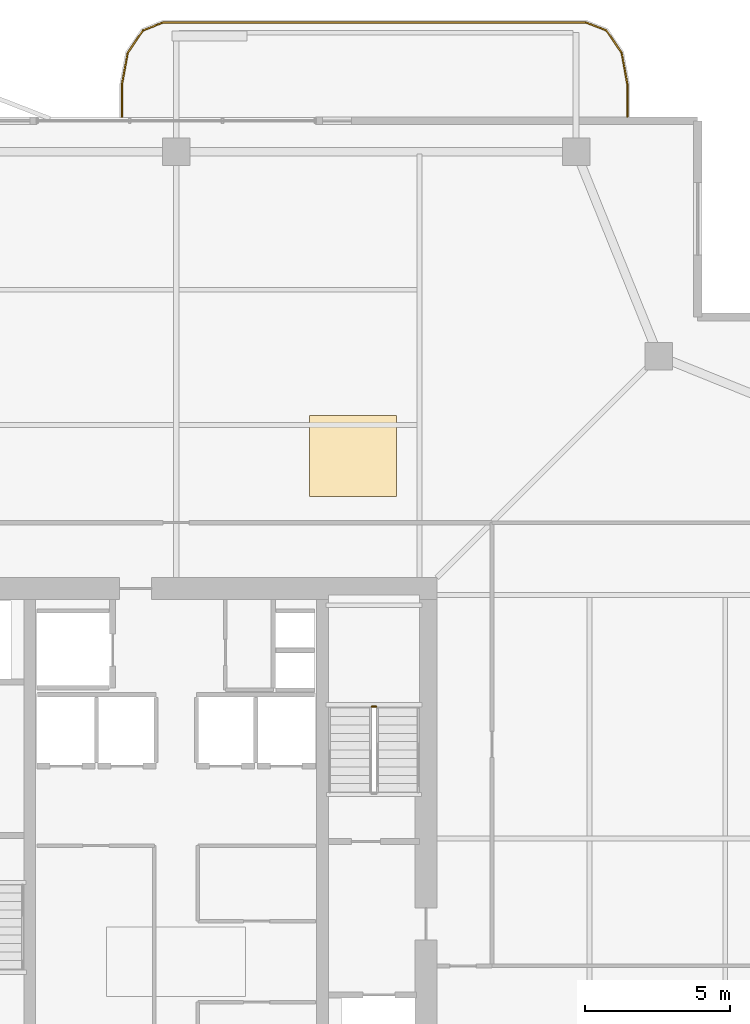
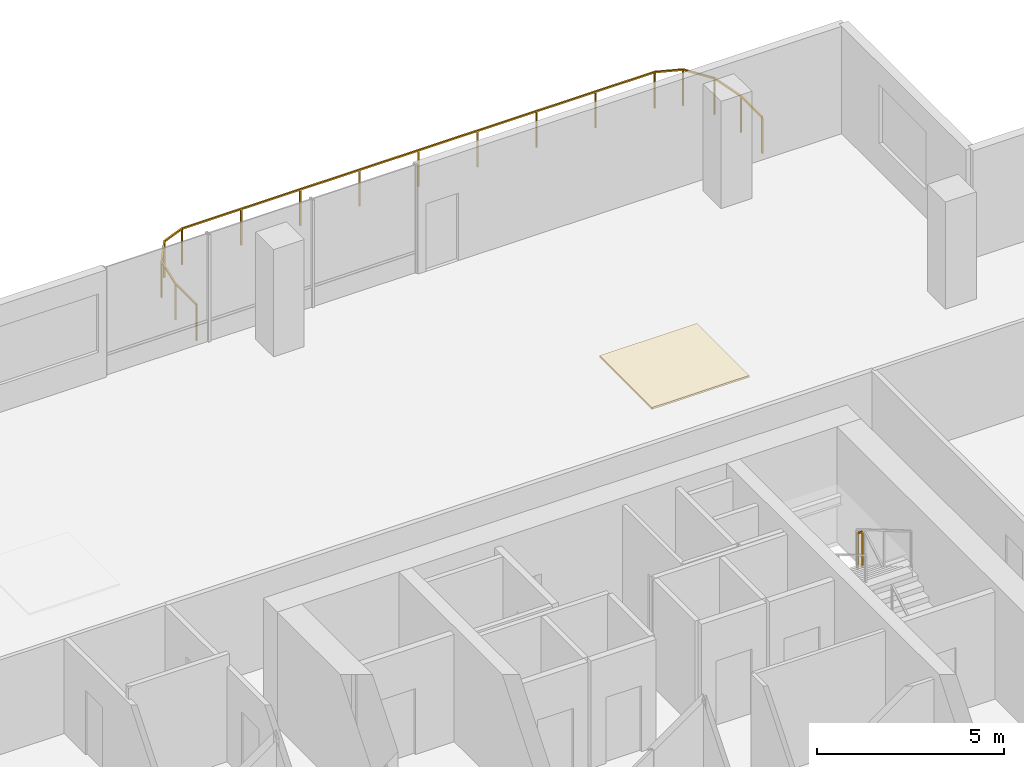
# One storey, part 23 of 23: 2 railings, 1 covering.
"""IFC4 building model written with IfcOpenShell, lengths in metres."""

import ifcopenshell
import ifcopenshell.guid

model = None  # the IFC model being written
_history = None  # IfcOwnerHistory: only IFC2X3 demands one
_inside = {}  # id of a spatial element -> (the spatial element, [elements in it])
_under = {}  # id of a project, library or spatial element -> (it, [spatial elements below it])
_declared = {}  # id of a project -> (the project, [libraries it declares])
_typed = {}  # id of a type object -> (the type object, [elements of that type])
_made_of = {}  # id of a material, layer set ... -> (it, [elements and type objects made of it])


def new_model(schema):
    """Start an empty IFC model of exactly this schema.

    Asked for "IFC4X3", IfcOpenShell would pick the latest addendum, in which some entities
    have other attributes; the version numbers below select the first issue.
    IFC2X3 requires an IfcOwnerHistory on every rooted entity: one is made here for all.
    """
    global model, _history
    if schema == "IFC4X3":
        model = ifcopenshell.file(schema_version=(4, 3, 0, 0))
    else:
        model = ifcopenshell.file(schema=schema)
    _inside.clear()
    _under.clear()
    _declared.clear()
    _typed.clear()
    _made_of.clear()
    _history = None
    if model.schema == "IFC2X3":
        org = make("IfcOrganization", Name="unknown")
        user = make(
            "IfcPersonAndOrganization",
            ThePerson=make("IfcPerson", FamilyName="unknown"),
            TheOrganization=org,
        )
        app = make(
            "IfcApplication",
            ApplicationDeveloper=org,
            Version="unknown",
            ApplicationFullName="unknown",
            ApplicationIdentifier="unknown",
        )
        _history = make(
            "IfcOwnerHistory",
            OwningUser=user,
            OwningApplication=app,
            ChangeAction="ADDED",
            CreationDate=0,
        )
    return model


def make(cls, **values):
    """One entity of the class cls with the attributes given. An attribute that is None is left unset."""
    return model.create_entity(
        cls, **{name: value for name, value in values.items() if value is not None}
    )


def rooted(cls, **values):
    """An entity with a GlobalId (a new one), such as an element, a storey or a relation."""
    return make(cls, GlobalId=ifcopenshell.guid.new(), OwnerHistory=_history, **values)


def si_unit(unit_type, name, prefix=None):
    """IfcSIUnit, for example si_unit("LENGTHUNIT", "METRE", prefix="MILLI")."""
    return make("IfcSIUnit", UnitType=unit_type, Prefix=prefix, Name=name)


def assignment(units):
    """IfcUnitAssignment: the units of a project."""
    return None if units is None else make("IfcUnitAssignment", Units=units)


def point(xyz):
    """IfcCartesianPoint."""
    return None if xyz is None else make("IfcCartesianPoint", Coordinates=xyz)


def direction(xyz):
    """IfcDirection."""
    return None if xyz is None else make("IfcDirection", DirectionRatios=xyz)


def frame(location, z_axis=None, x_axis=None):
    """IfcAxis2Placement3D, a coordinate frame: its origin and axes. An axis left out is left unset."""
    return make(
        "IfcAxis2Placement3D",
        Location=point(location),
        Axis=direction(z_axis),
        RefDirection=direction(x_axis),
    )


def frame_2d(location, x_axis=None):
    """IfcAxis2Placement2D, a coordinate frame in the plane: its origin and x axis."""
    return make(
        "IfcAxis2Placement2D", Location=point(location), RefDirection=direction(x_axis)
    )


def origin():
    """The frame at (0, 0, 0) with its axes left unset."""
    return frame((0.0, 0.0, 0.0))


def origin_2d():
    """The frame at (0, 0) in the plane with its x axis left unset."""
    return frame_2d((0.0, 0.0))


def place(relative_to, where):
    """IfcLocalPlacement: puts the frame where relative to a parent placement (None: the world)."""
    return make(
        "IfcLocalPlacement", PlacementRelTo=relative_to, RelativePlacement=where
    )


def context(
    kind, dimensions, precision=None, world=None, true_north=None, identifier=None
):
    """IfcGeometricRepresentationContext, for example the 3D "Model" context."""
    return make(
        "IfcGeometricRepresentationContext",
        ContextIdentifier=identifier,
        ContextType=kind,
        CoordinateSpaceDimension=dimensions,
        Precision=precision,
        WorldCoordinateSystem=world,
        TrueNorth=true_north,
    )


def subcontext(parent, identifier, kind, view, scale=None):
    """IfcGeometricRepresentationSubContext, for example "Body" below "Model"."""
    return make(
        "IfcGeometricRepresentationSubContext",
        ContextIdentifier=identifier,
        ContextType=kind,
        ParentContext=parent,
        TargetScale=scale,
        TargetView=view,
    )


def project(units=None, contexts=None):
    """IfcProject with its units and contexts."""
    return rooted(
        "IfcProject",
        Name="project",
        RepresentationContexts=contexts,
        UnitsInContext=assignment(units),
    )


def spatial(cls, under=None, at=None, **own):
    """A site, building, storey or space (cls), placed at a placement, below another one or the project."""
    s = rooted(cls, ObjectPlacement=at, **own)
    if under is not None:
        _under.setdefault(under.id(), (under, []))[1].append(s)
    return s


def polyline(points):
    """IfcPolyline through the points."""
    return make("IfcPolyline", Points=[point(p) for p in points])


def profile(cls, at=None, kind="AREA", **sizes):
    """A parametric profile (cls). Its sizes go by their IFC names, for example OverallWidth=200.0."""
    return make(cls, ProfileType=kind, Position=at, **sizes)


def rectangle(**sizes):
    """IfcRectangleProfileDef."""
    return profile("IfcRectangleProfileDef", **sizes)


def outline(outer, holes=None, kind="AREA"):
    """IfcArbitraryClosedProfileDef: a profile drawn as a closed curve; with holes, ...WithVoids."""
    if holes is None:
        return make("IfcArbitraryClosedProfileDef", ProfileType=kind, OuterCurve=outer)
    return make(
        "IfcArbitraryProfileDefWithVoids",
        ProfileType=kind,
        OuterCurve=outer,
        InnerCurves=holes,
    )


def extrude(swept, where, along, depth):
    """IfcExtrudedAreaSolid: the profile swept, set in the frame where, extruded along a direction by depth."""
    return make(
        "IfcExtrudedAreaSolid",
        SweptArea=swept,
        Position=where,
        ExtrudedDirection=direction(along),
        Depth=depth,
    )


def shape(context_of_items, identifier, shape_type, items):
    """IfcShapeRepresentation: the items that make up one representation, for example the "Body"."""
    return make(
        "IfcShapeRepresentation",
        ContextOfItems=context_of_items,
        RepresentationIdentifier=identifier,
        RepresentationType=shape_type,
        Items=items,
    )


def material(Name=None, Category=None):
    """IfcMaterial."""
    return make("IfcMaterial", Name=Name, Category=Category)


def layer(
    of_material, thickness, ventilated=None, Name=None, Category=None, Priority=None
):
    """IfcMaterialLayer: one layer of a wall or slab, of a material (None: an air gap)."""
    return make(
        "IfcMaterialLayer",
        Material=of_material,
        LayerThickness=thickness,
        IsVentilated=ventilated,
        Name=Name,
        Category=Category,
        Priority=Priority,
    )


def layer_set(layers, Name=None):
    """IfcMaterialLayerSet."""
    return make("IfcMaterialLayerSet", MaterialLayers=layers, LayerSetName=Name)


def made_of(thing, what):
    """Note that an element or type object is made of a material, layer set ...; save() writes the relation."""
    if what is not None:
        _made_of.setdefault(what.id(), (what, []))[1].append(thing)
    return thing


def type_object(cls, material=None, **own):
    """A type object (cls), such as IfcWallType, which elements share."""
    return made_of(rooted(cls, **own), material)


def element(
    cls,
    number,
    at=None,
    inside=None,
    cuts=None,
    type_object=None,
    material=None,
    context=None,
    identifier="Body",
    shape_type=None,
    held_by="IfcProductDefinitionShape",
    body=None,
    shapes=None,
    **own,
):
    """One element of the class cls, such as IfcWall. Its Tag is "e" and its number.

    at: its placement. inside: the storey or other place that contains it. cuts: it is an
    opening in that element (IfcRelVoidsElement). A single representation is given by context,
    identifier, shape_type and body (its items); several are given by shapes. held_by: the class
    of the entity that holds the representations. save() writes the other relations.
    """
    e = rooted(cls, Tag="e%d" % number, ObjectPlacement=at, **own)
    if body is not None:
        shapes = [shape(context, identifier, shape_type, body)]
    if shapes is not None:
        e.Representation = make(held_by, Representations=shapes)
    if inside is not None:
        _inside.setdefault(inside.id(), (inside, []))[1].append(e)
    if cuts is not None:
        rooted(
            "IfcRelVoidsElement", RelatingBuildingElement=cuts, RelatedOpeningElement=e
        )
    if type_object is not None:
        _typed.setdefault(type_object.id(), (type_object, []))[1].append(e)
    return made_of(e, material)


def aggregate(whole, parts):
    """IfcRelAggregates: a whole, such as a stair, and the parts it consists of."""
    return rooted("IfcRelAggregates", RelatingObject=whole, RelatedObjects=parts)


def save(model, path):
    """Write the relations noted so far, then the file.

    IfcRelAggregates (storeys below a building ...), IfcRelContainedInSpatialStructure (elements
    in a storey), IfcRelDefinesByType, IfcRelAssociatesMaterial and IfcRelDeclares: one each for
    every whole, place, type object, material and project.
    """
    for whole, parts in _under.values():
        aggregate(whole, parts)
    for where, things in _inside.values():
        rooted(
            "IfcRelContainedInSpatialStructure",
            RelatedElements=things,
            RelatingStructure=where,
        )
    for kind, things in _typed.values():
        rooted("IfcRelDefinesByType", RelatedObjects=things, RelatingType=kind)
    for what, things in _made_of.values():
        rooted("IfcRelAssociatesMaterial", RelatedObjects=things, RelatingMaterial=what)
    for by, libraries in _declared.values():
        rooted("IfcRelDeclares", RelatingContext=by, RelatedDefinitions=libraries)
    model.write(path)


model = new_model("IFC4")

# Units and contexts
model_context = context("Model", 3, precision=1e-05, world=origin(), true_north=direction((0.0, 1.0)))
body_context = subcontext(model_context, "Body", "Model", "MODEL_VIEW")
ifc_project = project(units=[si_unit("LENGTHUNIT", "METRE"), si_unit("AREAUNIT", "SQUARE_METRE"), si_unit("VOLUMEUNIT", "CUBIC_METRE"), si_unit("PLANEANGLEUNIT", "RADIAN"), si_unit("MASSUNIT", "GRAM", prefix="KILO")], contexts=[model_context])

# Site, building, storey
site_placement = place(None, origin())
site = spatial("IfcSite", under=ifc_project, at=site_placement, CompositionType="ELEMENT")
building_placement = place(site_placement, origin())
building = spatial("IfcBuilding", under=site, at=building_placement, Name="Belovzor Exchange Tower", CompositionType="ELEMENT")
storey_placement = place(building_placement, frame((0.0, 0.0, 276.60009765625)))
storey = spatial("IfcBuildingStorey", under=building, at=storey_placement, Name="L69", CompositionType="ELEMENT", Elevation=276.60009765625)

# Railings
ifc_material_1 = material(Name="Stainless Steel and Laminated Safety Glass", Category="steel")
railing_type_1 = type_object("IfcRailingType", Name="Laminated Glass & Stainless Steel Balcony Balustrade 1200", PredefinedType="BALUSTRADE", material=ifc_material_1)
railing_1_placement = place(storey_placement, frame((44.3701171875, 53.7099609375, 0.0)))
element("IfcRailing", 1, at=railing_1_placement, inside=storey, type_object=railing_type_1, Name="GR-1 Balcony Balustrade L69 North", PredefinedType="BALUSTRADE", context=body_context, shape_type="SweptSolid", body=[
    extrude(rectangle(XDim=0.048095703125, YDim=0.048095703125, at=origin_2d()), frame((0.0, 0.0, 1.17578125), z_axis=(0.0, 1.0, 0.0), x_axis=(-1.0, 0.0, 0.0)), (0.0, 0.0, 1.0), 1.133056640625),
    extrude(rectangle(XDim=0.048095703125, YDim=0.048095703125, at=origin_2d()), frame((0.0, 1.133056640625, 1.17578125), z_axis=(-0.180122719713, 0.983644145941, 0.0), x_axis=(-0.983644145941, -0.180122719713, 0.0)), (0.0, 0.0, 1.0), 1.09375),
    extrude(rectangle(XDim=0.048095703125, YDim=0.048095703125, at=origin_2d()), frame((-0.197021484375, 2.208984375, 1.17578125), z_axis=(-0.56294695933, 0.826493025367, 0.0), x_axis=(-0.826493025367, -0.56294695933, 0.0)), (0.0, 0.0, 1.0), 0.932861328125),
    extrude(rectangle(XDim=0.048095703125, YDim=0.048095703125, at=origin_2d()), frame((-0.72216796875, 2.97998046875, 1.17578125), z_axis=(-0.930766990125, 0.365612923861, 0.0), x_axis=(-0.365612923861, -0.930766990125, 0.0)), (0.0, 0.0, 1.0), 0.765869140625),
    extrude(rectangle(XDim=0.048095703125, YDim=0.048095703125, at=origin_2d()), frame((-1.43505859375, 3.260009765625, 1.17578125), z_axis=(-1.0, 0.0, 0.0), x_axis=(0.0, -1.0, 0.0)), (0.0, 0.0, 1.0), 14.570068359375),
    extrude(rectangle(XDim=0.048095703125, YDim=0.048095703125, at=origin_2d()), frame((-16.005126953125, 3.260009765625, 1.17578125), z_axis=(-0.930766990125, -0.365612923861, 0.0), x_axis=(0.365612923861, -0.930766990125, 0.0)), (0.0, 0.0, 1.0), 0.765869140625),
    extrude(rectangle(XDim=0.048095703125, YDim=0.048095703125, at=origin_2d()), frame((-16.718017578125, 2.97998046875, 1.17578125), z_axis=(-0.56294695933, -0.826493025367, 0.0), x_axis=(0.826493025367, -0.56294695933, 0.0)), (0.0, 0.0, 1.0), 0.932861328125),
    extrude(rectangle(XDim=0.048095703125, YDim=0.048095703125, at=origin_2d()), frame((-17.2431640625, 2.208984375, 1.17578125), z_axis=(-0.180122719713, -0.983644145941, 0.0), x_axis=(0.983644145941, -0.180122719713, 0.0)), (0.0, 0.0, 1.0), 1.09375),
    extrude(rectangle(XDim=0.048095703125, YDim=0.048095703125, at=origin_2d()), frame((-17.440185546875, 1.133056640625, 1.17578125), z_axis=(0.0, -1.0, 0.0), x_axis=(1.0, 0.0, 0.0)), (0.0, 0.0, 1.0), 1.133056640625),
    extrude(rectangle(XDim=0.0419921875, YDim=0.0419921875, at=origin_2d()), origin(), (0.0, 0.0, 1.0), 1.15185546875),
    extrude(rectangle(XDim=0.0419921875, YDim=0.0419921875, at=origin_2d()), frame((0.0, 1.133056640625, 0.0)), (0.0, 0.0, 1.0), 1.15185546875),
    extrude(rectangle(XDim=0.0419921875, YDim=0.0419921875, at=origin_2d()), frame((-0.197021484375, 2.208984375, 0.0)), (0.0, 0.0, 1.0), 1.15185546875),
    extrude(rectangle(XDim=0.0419921875, YDim=0.0419921875, at=origin_2d()), frame((-0.72216796875, 2.97998046875, 0.0)), (0.0, 0.0, 1.0), 1.15185546875),
    extrude(rectangle(XDim=0.0419921875, YDim=0.0419921875, at=origin_2d()), frame((-1.43505859375, 3.260009765625, 0.0)), (0.0, 0.0, 1.0), 1.15185546875),
    extrude(rectangle(XDim=0.0419921875, YDim=0.0419921875, at=origin_2d()), frame((-3.25634765625, 3.260009765625, 0.0)), (0.0, 0.0, 1.0), 1.15185546875),
    extrude(rectangle(XDim=0.0419921875, YDim=0.0419921875, at=origin_2d()), frame((-5.07763671875, 3.260009765625, 0.0)), (0.0, 0.0, 1.0), 1.15185546875),
    extrude(rectangle(XDim=0.0419921875, YDim=0.0419921875, at=origin_2d()), frame((-6.89892578125, 3.260009765625, 0.0)), (0.0, 0.0, 1.0), 1.15185546875),
    extrude(rectangle(XDim=0.0419921875, YDim=0.0419921875, at=origin_2d()), frame((-8.72021484375, 3.260009765625, 0.0)), (0.0, 0.0, 1.0), 1.15185546875),
    extrude(rectangle(XDim=0.0419921875, YDim=0.0419921875, at=origin_2d()), frame((-10.541259765625, 3.260009765625, 0.0)), (0.0, 0.0, 1.0), 1.15185546875),
    extrude(rectangle(XDim=0.0419921875, YDim=0.0419921875, at=origin_2d()), frame((-12.362548828125, 3.260009765625, 0.0)), (0.0, 0.0, 1.0), 1.15185546875),
    extrude(rectangle(XDim=0.0419921875, YDim=0.0419921875, at=origin_2d()), frame((-14.183837890625, 3.260009765625, 0.0)), (0.0, 0.0, 1.0), 1.15185546875),
    extrude(rectangle(XDim=0.0419921875, YDim=0.0419921875, at=origin_2d()), frame((-16.005126953125, 3.260009765625, 0.0)), (0.0, 0.0, 1.0), 1.15185546875),
    extrude(rectangle(XDim=0.0419921875, YDim=0.0419921875, at=origin_2d()), frame((-16.718017578125, 2.97998046875, 0.0)), (0.0, 0.0, 1.0), 1.15185546875),
    extrude(rectangle(XDim=0.0419921875, YDim=0.0419921875, at=origin_2d()), frame((-17.2431640625, 2.208984375, 0.0)), (0.0, 0.0, 1.0), 1.15185546875),
    extrude(rectangle(XDim=0.0419921875, YDim=0.0419921875, at=origin_2d()), frame((-17.440185546875, 1.133056640625, 0.0)), (0.0, 0.0, 1.0), 1.15185546875),
    extrude(rectangle(XDim=0.0419921875, YDim=0.0419921875, at=origin_2d()), frame((-17.440185546875, 0.0, 0.0)), (0.0, 0.0, 1.0), 1.15185546875),
])
ifc_material_2 = material(Name="Steel S355", Category="steel")
railing_type_2 = type_object("IfcRailingType", Name="Painted Steel Stairwell Guardrail 1200", PredefinedType="GUARDRAIL", material=ifc_material_2)
railing_2_placement = place(storey_placement, frame((35.699951171875, 33.35009765625, 1.875)))
element("IfcRailing", 2, at=railing_2_placement, inside=storey, type_object=railing_type_2, Name="L69 ST-2 stair guard 2", PredefinedType="GUARDRAIL", context=body_context, shape_type="SweptSolid", body=[
    extrude(rectangle(XDim=0.048095703125, YDim=0.048095703125, at=origin_2d()), frame((0.0, 0.0, 1.17578125), z_axis=(-1.0, 0.0, 0.0), x_axis=(0.0, -1.0, 0.0)), (0.0, 0.0, 1.0), 0.14990234375),
    extrude(rectangle(XDim=0.0419921875, YDim=0.0419921875, at=origin_2d()), origin(), (0.0, 0.0, 1.0), 1.15185546875),
    extrude(rectangle(XDim=0.0419921875, YDim=0.0419921875, at=origin_2d()), frame((-0.14990234375, 0.0, 0.0)), (0.0, 0.0, 1.0), 1.15185546875),
])

# Covering
ifc_material_3 = material(Name="Perforated Powder-Coated Aluminium", Category="aluminium")
ifc_layer = layer(ifc_material_3, 0.06005859375)
ifc_layer_set = layer_set([ifc_layer], Name="Perforated Powder-Coated Aluminium")
covering_type = type_object("IfcCoveringType", Name="Perforated Acoustic Metal Tile Suspended Ceiling 60", PredefinedType="CEILING", material=ifc_layer_set)
covering_placement = place(storey_placement, frame((0.0, 0.0, 3.43994140625)))
element("IfcCovering", 3, at=covering_placement, inside=storey, type_object=covering_type, Name="CLG-AC60 Suspended Ceiling CLG-L69-Z2", PredefinedType="CEILING", context=body_context, shape_type="SweptSolid", body=[
    extrude(outline(polyline([(33.39990234375, 40.60009765625), (36.39990234375, 40.60009765625), (36.39990234375, 43.39990234375), (33.39990234375, 43.39990234375), (33.39990234375, 40.60009765625)])), origin(), (0.0, 0.0, 1.0), 0.06005859375),
])

save(model, "model.ifc")
